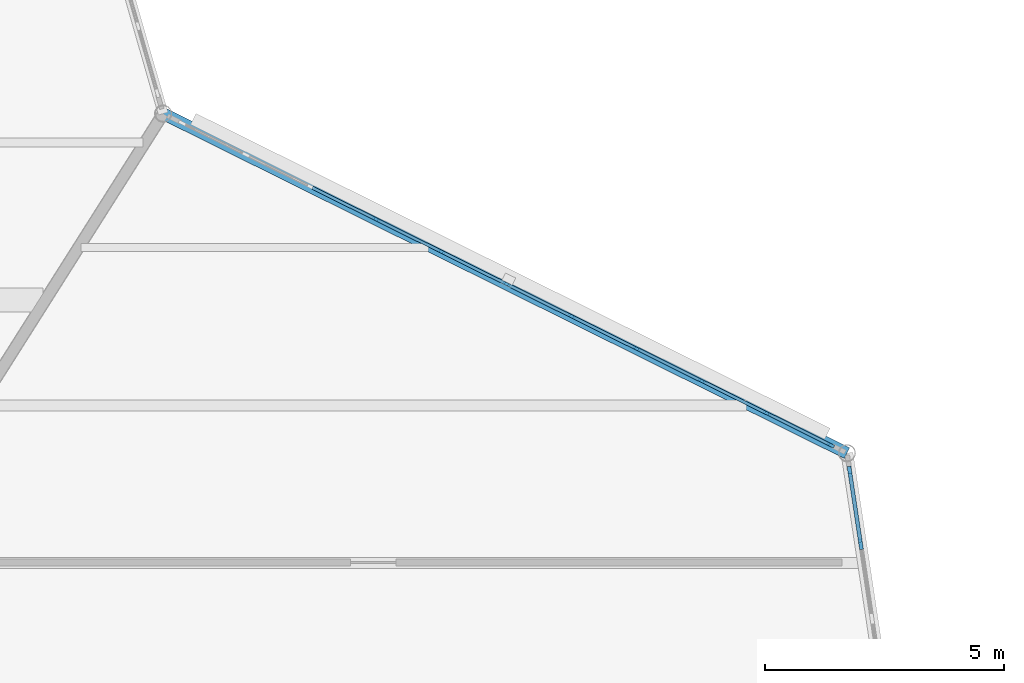
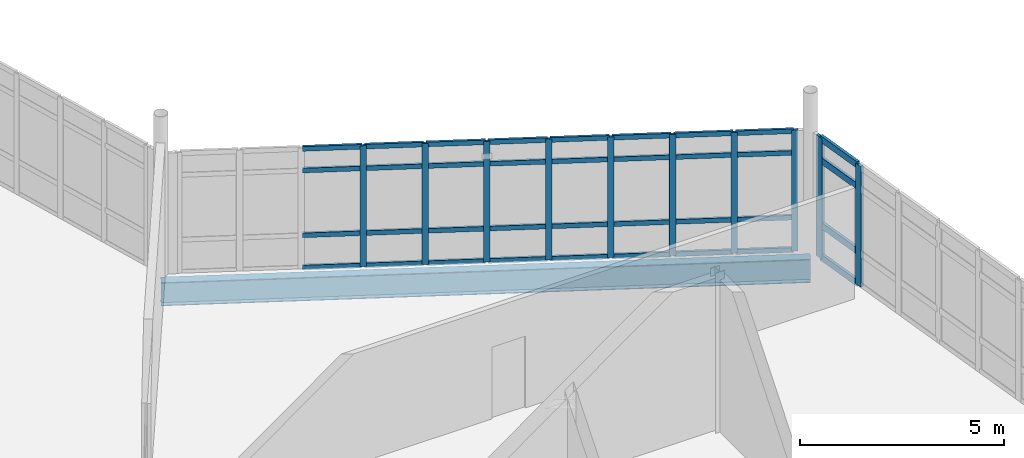
# One storey, part 49 of 114: 46 members, 1 beam, 2 elements without a shape of their own.
"""IFC4 building model written with IfcOpenShell, lengths in metres."""

from ifc_helpers import new_model, si_unit, direction, frame, origin, origin_2d, place, context, subcontext, project, spatial, rectangle, i_section, extrude, material, material_profile, profile_set, type_object, element, aggregate, save


model = new_model("IFC4")

# Units and contexts
model_context = context("Model", 3, precision=1e-05, world=origin(), true_north=direction((0.0, 1.0)))
body_context = subcontext(model_context, "Body", "Model", "MODEL_VIEW")
ifc_project = project(units=[si_unit("LENGTHUNIT", "METRE"), si_unit("AREAUNIT", "SQUARE_METRE"), si_unit("VOLUMEUNIT", "CUBIC_METRE"), si_unit("PLANEANGLEUNIT", "RADIAN"), si_unit("MASSUNIT", "GRAM", prefix="KILO")], contexts=[model_context])

# Site, building, storey
site_placement = place(None, origin())
site = spatial("IfcSite", under=ifc_project, at=site_placement, CompositionType="ELEMENT")
building_placement = place(site_placement, origin())
building = spatial("IfcBuilding", under=site, at=building_placement, Name="Tameran Prism Museum", CompositionType="ELEMENT")
storey_placement = place(building_placement, frame((0.0, 0.0, 10.199951171875)))
storey = spatial("IfcBuildingStorey", under=building, at=storey_placement, Name="L02", CompositionType="ELEMENT", Elevation=10.199951171875)

# Beam
ifc_material_1 = material(Name="Steel Grade 350 (350 MPa)", Category="steel")
ifc_material_profile_1 = material_profile(ifc_material_1, i_section(OverallWidth=0.25, OverallDepth=0.699951171875, WebThickness=0.010009765625, FlangeThickness=0.02001953125, at=origin_2d()))
ifc_profile_set_1 = profile_set([ifc_material_profile_1])
beam_type = type_object("IfcBeamType", Name="BM-SP700", PredefinedType="SPANDREL", material=ifc_profile_set_1)
beam_placement = place(storey_placement, frame((74.800048828125, 66.10009765625, -0.550048828125), z_axis=(-0.89568063561, 0.444697873835, 0.0), x_axis=(-0.444697873835, -0.89568063561, 0.0)))
element("IfcBeam", 1, at=beam_placement, inside=storey, type_object=beam_type, Name="Perimeter Spandrel SP-0692", PredefinedType="SPANDREL", context=body_context, shape_type="SweptSolid", body=[
    extrude(i_section(OverallWidth=0.25, OverallDepth=0.699951171875, WebThickness=0.010009765625, FlangeThickness=0.02001953125, at=origin_2d()), origin(), (0.0, 0.0, 1.0), 15.965576171875),
])

# Curtain wall, members
ifc_material_2 = material(Name="Anodised Aluminium 6063-T6 and Cyclone Solar Glass", Category="aluminium")
curtain_wall_type_1 = type_object("IfcCurtainWallType", Name="CW-FAC-1520x362", PredefinedType="USERDEFINED", material=ifc_material_2)
curtain_wall_1_placement = place(storey_placement, origin())
curtain_wall_1 = element("IfcCurtainWall", 2, at=curtain_wall_1_placement, inside=storey, type_object=curtain_wall_type_1, Name="Unitised Curtain Wall CW-115", ObjectType="UNITISED CURTAIN WALL", PredefinedType="USERDEFINED")
ifc_material_3 = material(Name="Anodised Aluminium Alloy 6063-T6", Category="aluminium")
ifc_material_profile_2 = material_profile(ifc_material_3, rectangle(XDim=0.06494140625, YDim=0.159912109375, at=origin_2d()))
ifc_profile_set_2 = profile_set([ifc_material_profile_2])
member_type_1 = type_object("IfcMemberType", Name="CW-MUL-A", PredefinedType="MULLION", material=ifc_profile_set_2)
member_1_placement = place(storey_placement, frame((64.952880859375, 70.98876953125, 0.0), z_axis=(0.0, 0.0, 1.0), x_axis=(0.444633769593, 0.895712459966, 0.0)))
member_1 = element("IfcMember", 3, at=member_1_placement, type_object=member_type_1, Name="CW-115 mullion 4", PredefinedType="MULLION", context=body_context, shape_type="SweptSolid", body=[
    extrude(rectangle(XDim=0.06494140625, YDim=0.159912109375, at=origin_2d()), origin(), (0.0, 0.0, 1.0), 3.6201171875),
])
member_2_placement = place(storey_placement, frame((66.31494140625, 70.3125, 0.0), z_axis=(0.0, 0.0, 1.0), x_axis=(0.444633769593, 0.895712459966, 0.0)))
member_2 = element("IfcMember", 4, at=member_2_placement, type_object=member_type_1, Name="CW-115 mullion 5", PredefinedType="MULLION", context=body_context, shape_type="SweptSolid", body=[
    extrude(rectangle(XDim=0.06494140625, YDim=0.159912109375, at=origin_2d()), origin(), (0.0, 0.0, 1.0), 3.6201171875),
])
member_3_placement = place(storey_placement, frame((67.677001953125, 69.636474609375, 0.0), z_axis=(0.0, 0.0, 1.0), x_axis=(0.444633769593, 0.895712459966, 0.0)))
member_3 = element("IfcMember", 5, at=member_3_placement, type_object=member_type_1, Name="CW-115 mullion 6", PredefinedType="MULLION", context=body_context, shape_type="SweptSolid", body=[
    extrude(rectangle(XDim=0.06494140625, YDim=0.159912109375, at=origin_2d()), origin(), (0.0, 0.0, 1.0), 3.6201171875),
])
member_4_placement = place(storey_placement, frame((69.0390625, 68.96044921875, 0.0), z_axis=(0.0, 0.0, 1.0), x_axis=(0.444633769593, 0.895712459966, 0.0)))
member_4 = element("IfcMember", 6, at=member_4_placement, type_object=member_type_1, Name="CW-115 mullion 7", PredefinedType="MULLION", context=body_context, shape_type="SweptSolid", body=[
    extrude(rectangle(XDim=0.06494140625, YDim=0.159912109375, at=origin_2d()), origin(), (0.0, 0.0, 1.0), 3.6201171875),
])
member_5_placement = place(storey_placement, frame((70.40087890625, 68.2841796875, 0.0), z_axis=(0.0, 0.0, 1.0), x_axis=(0.444633769593, 0.895712459966, 0.0)))
member_5 = element("IfcMember", 7, at=member_5_placement, type_object=member_type_1, Name="CW-115 mullion 8", PredefinedType="MULLION", context=body_context, shape_type="SweptSolid", body=[
    extrude(rectangle(XDim=0.06494140625, YDim=0.159912109375, at=origin_2d()), origin(), (0.0, 0.0, 1.0), 3.6201171875),
])
member_6_placement = place(storey_placement, frame((71.762939453125, 67.608154296875, 0.0), z_axis=(0.0, 0.0, 1.0), x_axis=(0.444633769593, 0.895712459966, 0.0)))
member_6 = element("IfcMember", 8, at=member_6_placement, type_object=member_type_1, Name="CW-115 mullion 9", PredefinedType="MULLION", context=body_context, shape_type="SweptSolid", body=[
    extrude(rectangle(XDim=0.06494140625, YDim=0.159912109375, at=origin_2d()), origin(), (0.0, 0.0, 1.0), 3.6201171875),
])
member_7_placement = place(storey_placement, frame((73.125, 66.93212890625, 0.0), z_axis=(0.0, 0.0, 1.0), x_axis=(0.444633769593, 0.895712459966, 0.0)))
member_7 = element("IfcMember", 9, at=member_7_placement, type_object=member_type_1, Name="CW-115 mullion 10", PredefinedType="MULLION", context=body_context, shape_type="SweptSolid", body=[
    extrude(rectangle(XDim=0.06494140625, YDim=0.159912109375, at=origin_2d()), origin(), (0.0, 0.0, 1.0), 3.6201171875),
])
member_8_placement = place(storey_placement, frame((74.4580078125, 66.2705078125, 0.0), z_axis=(0.0, 0.0, 1.0), x_axis=(0.444633769593, 0.895712459966, 0.0)))
member_8 = element("IfcMember", 10, at=member_8_placement, type_object=member_type_1, Name="CW-115 mullion 11", PredefinedType="MULLION", context=body_context, shape_type="SweptSolid", body=[
    extrude(rectangle(XDim=0.06494140625, YDim=0.159912109375, at=origin_2d()), origin(), (0.0, 0.0, 1.0), 3.6201171875),
])

ifc_material_4 = material(Name="Anodised Aluminium 6063-T6 and Cyclone Solar Glass", Category="aluminium")
curtain_wall_type_2 = type_object("IfcCurtainWallType", Name="CW-FAC-1734x362", PredefinedType="USERDEFINED", material=ifc_material_4)
curtain_wall_2_placement = place(storey_placement, origin())
curtain_wall_2 = element("IfcCurtainWall", 11, at=curtain_wall_2_placement, inside=storey, type_object=curtain_wall_type_2, Name="Unitised Curtain Wall CW-114", ObjectType="UNITISED CURTAIN WALL", PredefinedType="USERDEFINED")
ifc_material_5 = material(Name="Anodised Aluminium Alloy 6063-T6", Category="aluminium")
ifc_material_profile_3 = material_profile(ifc_material_5, rectangle(XDim=0.080078125, YDim=0.219970703125, at=origin_2d()))
ifc_profile_set_3 = profile_set([ifc_material_profile_3])
member_type_2 = type_object("IfcMemberType", Name="CW-MUL-D", PredefinedType="MULLION", material=ifc_profile_set_3)
member_9_placement = place(storey_placement, frame((74.85791015625, 65.71435546875, 0.0), z_axis=(0.0, 0.0, 1.0), x_axis=(0.988812088052, 0.149166532852, 0.0)))
member_9 = element("IfcMember", 12, at=member_9_placement, type_object=member_type_2, Name="CW-114 mullion 1", PredefinedType="MULLION", context=body_context, shape_type="SweptSolid", body=[
    extrude(rectangle(XDim=0.080078125, YDim=0.219970703125, at=origin_2d()), origin(), (0.0, 0.0, 1.0), 3.6201171875),
])
member_10_placement = place(storey_placement, frame((75.087158203125, 64.195068359375, 0.0), z_axis=(0.0, 0.0, 1.0), x_axis=(0.988812088052, 0.149166532852, 0.0)))
member_10 = element("IfcMember", 13, at=member_10_placement, type_object=member_type_2, Name="CW-114 mullion 2", PredefinedType="MULLION", context=body_context, shape_type="SweptSolid", body=[
    extrude(rectangle(XDim=0.080078125, YDim=0.219970703125, at=origin_2d()), origin(), (0.0, 0.0, 1.0), 3.6201171875),
])

# Member
ifc_material_6 = material(Name="Anodised Aluminium Alloy 6063-T6", Category="aluminium")
ifc_material_profile_4 = material_profile(ifc_material_6, rectangle(XDim=0.06494140625, YDim=0.139892578125, at=origin_2d()))
ifc_profile_set_4 = profile_set([ifc_material_profile_4])
member_type_3 = type_object("IfcMemberType", Name="CW-TRN-A", PredefinedType="USERDEFINED", material=ifc_profile_set_4)
member_11_placement = place(storey_placement, frame((63.6201171875, 71.650390625, 0.032470703125), z_axis=(0.895698333913, -0.444662225319, 0.0), x_axis=(0.444662225319, 0.895698333913, 0.0)))
member_11 = element("IfcMember", 14, at=member_11_placement, type_object=member_type_3, Name="CW-115 transom 3.1", ObjectType="TRANSOM", PredefinedType="USERDEFINED", context=body_context, shape_type="SweptSolid", body=[
    extrude(rectangle(XDim=0.06494140625, YDim=0.139892578125, at=origin_2d()), origin(), (0.0, 0.0, 1.0), 1.45556640625),
])

member_12_placement = place(storey_placement, frame((63.6201171875, 71.650390625, 1.0), z_axis=(0.895698333913, -0.444662225319, 0.0), x_axis=(0.444662225319, 0.895698333913, 0.0)))
member_12 = element("IfcMember", 15, at=member_12_placement, type_object=member_type_3, Name="CW-115 transom 3.2", ObjectType="TRANSOM", PredefinedType="USERDEFINED", context=body_context, shape_type="SweptSolid", body=[
    extrude(rectangle(XDim=0.06494140625, YDim=0.139892578125, at=origin_2d()), origin(), (0.0, 0.0, 1.0), 1.45556640625),
])

member_13_placement = place(storey_placement, frame((63.6201171875, 71.650390625, 2.93994140625), z_axis=(0.895698333913, -0.444662225319, 0.0), x_axis=(0.444662225319, 0.895698333913, 0.0)))
member_13 = element("IfcMember", 16, at=member_13_placement, type_object=member_type_3, Name="CW-115 transom 3.3", ObjectType="TRANSOM", PredefinedType="USERDEFINED", context=body_context, shape_type="SweptSolid", body=[
    extrude(rectangle(XDim=0.06494140625, YDim=0.139892578125, at=origin_2d()), origin(), (0.0, 0.0, 1.0), 1.45556640625),
])

member_14_placement = place(storey_placement, frame((63.6201171875, 71.650390625, 3.587646484375), z_axis=(0.895698333913, -0.444662225319, 0.0), x_axis=(0.444662225319, 0.895698333913, 0.0)))
member_14 = element("IfcMember", 17, at=member_14_placement, type_object=member_type_3, Name="CW-115 transom 3.4", ObjectType="TRANSOM", PredefinedType="USERDEFINED", context=body_context, shape_type="SweptSolid", body=[
    extrude(rectangle(XDim=0.06494140625, YDim=0.139892578125, at=origin_2d()), origin(), (0.0, 0.0, 1.0), 1.45556640625),
])

member_15_placement = place(storey_placement, frame((64.982177734375, 70.974365234375, 0.032470703125), z_axis=(0.895698333913, -0.444662225319, 0.0), x_axis=(0.444662225319, 0.895698333913, 0.0)))
member_15 = element("IfcMember", 18, at=member_15_placement, type_object=member_type_3, Name="CW-115 transom 4.1", ObjectType="TRANSOM", PredefinedType="USERDEFINED", context=body_context, shape_type="SweptSolid", body=[
    extrude(rectangle(XDim=0.06494140625, YDim=0.139892578125, at=origin_2d()), origin(), (0.0, 0.0, 1.0), 1.45556640625),
])

member_16_placement = place(storey_placement, frame((64.982177734375, 70.974365234375, 1.0), z_axis=(0.895698333913, -0.444662225319, 0.0), x_axis=(0.444662225319, 0.895698333913, 0.0)))
member_16 = element("IfcMember", 19, at=member_16_placement, type_object=member_type_3, Name="CW-115 transom 4.2", ObjectType="TRANSOM", PredefinedType="USERDEFINED", context=body_context, shape_type="SweptSolid", body=[
    extrude(rectangle(XDim=0.06494140625, YDim=0.139892578125, at=origin_2d()), origin(), (0.0, 0.0, 1.0), 1.45556640625),
])

member_17_placement = place(storey_placement, frame((64.982177734375, 70.974365234375, 2.93994140625), z_axis=(0.895698333913, -0.444662225319, 0.0), x_axis=(0.444662225319, 0.895698333913, 0.0)))
member_17 = element("IfcMember", 20, at=member_17_placement, type_object=member_type_3, Name="CW-115 transom 4.3", ObjectType="TRANSOM", PredefinedType="USERDEFINED", context=body_context, shape_type="SweptSolid", body=[
    extrude(rectangle(XDim=0.06494140625, YDim=0.139892578125, at=origin_2d()), origin(), (0.0, 0.0, 1.0), 1.45556640625),
])

member_18_placement = place(storey_placement, frame((64.982177734375, 70.974365234375, 3.587646484375), z_axis=(0.895698333913, -0.444662225319, 0.0), x_axis=(0.444662225319, 0.895698333913, 0.0)))
member_18 = element("IfcMember", 21, at=member_18_placement, type_object=member_type_3, Name="CW-115 transom 4.4", ObjectType="TRANSOM", PredefinedType="USERDEFINED", context=body_context, shape_type="SweptSolid", body=[
    extrude(rectangle(XDim=0.06494140625, YDim=0.139892578125, at=origin_2d()), origin(), (0.0, 0.0, 1.0), 1.45556640625),
])

member_19_placement = place(storey_placement, frame((66.343994140625, 70.298095703125, 0.032470703125), z_axis=(0.895731491515, -0.444595428573, 0.0), x_axis=(0.444595428573, 0.895731491515, 0.0)))
member_19 = element("IfcMember", 22, at=member_19_placement, type_object=member_type_3, Name="CW-115 transom 5.1", ObjectType="TRANSOM", PredefinedType="USERDEFINED", context=body_context, shape_type="SweptSolid", body=[
    extrude(rectangle(XDim=0.06494140625, YDim=0.139892578125, at=origin_2d()), origin(), (0.0, 0.0, 1.0), 1.455810546875),
])

member_20_placement = place(storey_placement, frame((66.343994140625, 70.298095703125, 1.0), z_axis=(0.895731491515, -0.444595428573, 0.0), x_axis=(0.444595428573, 0.895731491515, 0.0)))
member_20 = element("IfcMember", 23, at=member_20_placement, type_object=member_type_3, Name="CW-115 transom 5.2", ObjectType="TRANSOM", PredefinedType="USERDEFINED", context=body_context, shape_type="SweptSolid", body=[
    extrude(rectangle(XDim=0.06494140625, YDim=0.139892578125, at=origin_2d()), origin(), (0.0, 0.0, 1.0), 1.455810546875),
])

member_21_placement = place(storey_placement, frame((66.343994140625, 70.298095703125, 2.93994140625), z_axis=(0.895731491515, -0.444595428573, 0.0), x_axis=(0.444595428573, 0.895731491515, 0.0)))
member_21 = element("IfcMember", 24, at=member_21_placement, type_object=member_type_3, Name="CW-115 transom 5.3", ObjectType="TRANSOM", PredefinedType="USERDEFINED", context=body_context, shape_type="SweptSolid", body=[
    extrude(rectangle(XDim=0.06494140625, YDim=0.139892578125, at=origin_2d()), origin(), (0.0, 0.0, 1.0), 1.455810546875),
])

member_22_placement = place(storey_placement, frame((66.343994140625, 70.298095703125, 3.587646484375), z_axis=(0.895731491515, -0.444595428573, 0.0), x_axis=(0.444595428573, 0.895731491515, 0.0)))
member_22 = element("IfcMember", 25, at=member_22_placement, type_object=member_type_3, Name="CW-115 transom 5.4", ObjectType="TRANSOM", PredefinedType="USERDEFINED", context=body_context, shape_type="SweptSolid", body=[
    extrude(rectangle(XDim=0.06494140625, YDim=0.139892578125, at=origin_2d()), origin(), (0.0, 0.0, 1.0), 1.455810546875),
])

member_23_placement = place(storey_placement, frame((67.7060546875, 69.6220703125, 0.032470703125), z_axis=(0.895731491515, -0.444595428573, 0.0), x_axis=(0.444595428573, 0.895731491515, 0.0)))
member_23 = element("IfcMember", 26, at=member_23_placement, type_object=member_type_3, Name="CW-115 transom 6.1", ObjectType="TRANSOM", PredefinedType="USERDEFINED", context=body_context, shape_type="SweptSolid", body=[
    extrude(rectangle(XDim=0.06494140625, YDim=0.139892578125, at=origin_2d()), origin(), (0.0, 0.0, 1.0), 1.455810546875),
])

member_24_placement = place(storey_placement, frame((67.7060546875, 69.6220703125, 1.0), z_axis=(0.895731491515, -0.444595428573, 0.0), x_axis=(0.444595428573, 0.895731491515, 0.0)))
member_24 = element("IfcMember", 27, at=member_24_placement, type_object=member_type_3, Name="CW-115 transom 6.2", ObjectType="TRANSOM", PredefinedType="USERDEFINED", context=body_context, shape_type="SweptSolid", body=[
    extrude(rectangle(XDim=0.06494140625, YDim=0.139892578125, at=origin_2d()), origin(), (0.0, 0.0, 1.0), 1.455810546875),
])

member_25_placement = place(storey_placement, frame((67.7060546875, 69.6220703125, 2.93994140625), z_axis=(0.895731491515, -0.444595428573, 0.0), x_axis=(0.444595428573, 0.895731491515, 0.0)))
member_25 = element("IfcMember", 28, at=member_25_placement, type_object=member_type_3, Name="CW-115 transom 6.3", ObjectType="TRANSOM", PredefinedType="USERDEFINED", context=body_context, shape_type="SweptSolid", body=[
    extrude(rectangle(XDim=0.06494140625, YDim=0.139892578125, at=origin_2d()), origin(), (0.0, 0.0, 1.0), 1.455810546875),
])

member_26_placement = place(storey_placement, frame((67.7060546875, 69.6220703125, 3.587646484375), z_axis=(0.895731491515, -0.444595428573, 0.0), x_axis=(0.444595428573, 0.895731491515, 0.0)))
member_26 = element("IfcMember", 29, at=member_26_placement, type_object=member_type_3, Name="CW-115 transom 6.4", ObjectType="TRANSOM", PredefinedType="USERDEFINED", context=body_context, shape_type="SweptSolid", body=[
    extrude(rectangle(XDim=0.06494140625, YDim=0.139892578125, at=origin_2d()), origin(), (0.0, 0.0, 1.0), 1.455810546875),
])

member_27_placement = place(storey_placement, frame((69.068115234375, 68.946044921875, 0.032470703125), z_axis=(0.895698333913, -0.444662225319, 0.0), x_axis=(0.444662225319, 0.895698333913, 0.0)))
member_27 = element("IfcMember", 30, at=member_27_placement, type_object=member_type_3, Name="CW-115 transom 7.1", ObjectType="TRANSOM", PredefinedType="USERDEFINED", context=body_context, shape_type="SweptSolid", body=[
    extrude(rectangle(XDim=0.06494140625, YDim=0.139892578125, at=origin_2d()), origin(), (0.0, 0.0, 1.0), 1.45556640625),
])

member_28_placement = place(storey_placement, frame((69.068115234375, 68.946044921875, 1.0), z_axis=(0.895698333913, -0.444662225319, 0.0), x_axis=(0.444662225319, 0.895698333913, 0.0)))
member_28 = element("IfcMember", 31, at=member_28_placement, type_object=member_type_3, Name="CW-115 transom 7.2", ObjectType="TRANSOM", PredefinedType="USERDEFINED", context=body_context, shape_type="SweptSolid", body=[
    extrude(rectangle(XDim=0.06494140625, YDim=0.139892578125, at=origin_2d()), origin(), (0.0, 0.0, 1.0), 1.45556640625),
])

member_29_placement = place(storey_placement, frame((69.068115234375, 68.946044921875, 2.93994140625), z_axis=(0.895698333913, -0.444662225319, 0.0), x_axis=(0.444662225319, 0.895698333913, 0.0)))
member_29 = element("IfcMember", 32, at=member_29_placement, type_object=member_type_3, Name="CW-115 transom 7.3", ObjectType="TRANSOM", PredefinedType="USERDEFINED", context=body_context, shape_type="SweptSolid", body=[
    extrude(rectangle(XDim=0.06494140625, YDim=0.139892578125, at=origin_2d()), origin(), (0.0, 0.0, 1.0), 1.45556640625),
])

member_30_placement = place(storey_placement, frame((69.068115234375, 68.946044921875, 3.587646484375), z_axis=(0.895698333913, -0.444662225319, 0.0), x_axis=(0.444662225319, 0.895698333913, 0.0)))
member_30 = element("IfcMember", 33, at=member_30_placement, type_object=member_type_3, Name="CW-115 transom 7.4", ObjectType="TRANSOM", PredefinedType="USERDEFINED", context=body_context, shape_type="SweptSolid", body=[
    extrude(rectangle(XDim=0.06494140625, YDim=0.139892578125, at=origin_2d()), origin(), (0.0, 0.0, 1.0), 1.45556640625),
])

member_31_placement = place(storey_placement, frame((70.43017578125, 68.269775390625, 0.032470703125), z_axis=(0.895698333913, -0.444662225319, 0.0), x_axis=(0.444662225319, 0.895698333913, 0.0)))
member_31 = element("IfcMember", 34, at=member_31_placement, type_object=member_type_3, Name="CW-115 transom 8.1", ObjectType="TRANSOM", PredefinedType="USERDEFINED", context=body_context, shape_type="SweptSolid", body=[
    extrude(rectangle(XDim=0.06494140625, YDim=0.139892578125, at=origin_2d()), origin(), (0.0, 0.0, 1.0), 1.45556640625),
])

member_32_placement = place(storey_placement, frame((70.43017578125, 68.269775390625, 1.0), z_axis=(0.895698333913, -0.444662225319, 0.0), x_axis=(0.444662225319, 0.895698333913, 0.0)))
member_32 = element("IfcMember", 35, at=member_32_placement, type_object=member_type_3, Name="CW-115 transom 8.2", ObjectType="TRANSOM", PredefinedType="USERDEFINED", context=body_context, shape_type="SweptSolid", body=[
    extrude(rectangle(XDim=0.06494140625, YDim=0.139892578125, at=origin_2d()), origin(), (0.0, 0.0, 1.0), 1.45556640625),
])

member_33_placement = place(storey_placement, frame((70.43017578125, 68.269775390625, 2.93994140625), z_axis=(0.895698333913, -0.444662225319, 0.0), x_axis=(0.444662225319, 0.895698333913, 0.0)))
member_33 = element("IfcMember", 36, at=member_33_placement, type_object=member_type_3, Name="CW-115 transom 8.3", ObjectType="TRANSOM", PredefinedType="USERDEFINED", context=body_context, shape_type="SweptSolid", body=[
    extrude(rectangle(XDim=0.06494140625, YDim=0.139892578125, at=origin_2d()), origin(), (0.0, 0.0, 1.0), 1.45556640625),
])

member_34_placement = place(storey_placement, frame((70.43017578125, 68.269775390625, 3.587646484375), z_axis=(0.895698333913, -0.444662225319, 0.0), x_axis=(0.444662225319, 0.895698333913, 0.0)))
member_34 = element("IfcMember", 37, at=member_34_placement, type_object=member_type_3, Name="CW-115 transom 8.4", ObjectType="TRANSOM", PredefinedType="USERDEFINED", context=body_context, shape_type="SweptSolid", body=[
    extrude(rectangle(XDim=0.06494140625, YDim=0.139892578125, at=origin_2d()), origin(), (0.0, 0.0, 1.0), 1.45556640625),
])

member_35_placement = place(storey_placement, frame((71.7919921875, 67.59375, 0.032470703125), z_axis=(0.895731491515, -0.444595428573, 0.0), x_axis=(0.444595428573, 0.895731491515, 0.0)))
member_35 = element("IfcMember", 38, at=member_35_placement, type_object=member_type_3, Name="CW-115 transom 9.1", ObjectType="TRANSOM", PredefinedType="USERDEFINED", context=body_context, shape_type="SweptSolid", body=[
    extrude(rectangle(XDim=0.06494140625, YDim=0.139892578125, at=origin_2d()), origin(), (0.0, 0.0, 1.0), 1.455810546875),
])

member_36_placement = place(storey_placement, frame((71.7919921875, 67.59375, 1.0), z_axis=(0.895731491515, -0.444595428573, 0.0), x_axis=(0.444595428573, 0.895731491515, 0.0)))
member_36 = element("IfcMember", 39, at=member_36_placement, type_object=member_type_3, Name="CW-115 transom 9.2", ObjectType="TRANSOM", PredefinedType="USERDEFINED", context=body_context, shape_type="SweptSolid", body=[
    extrude(rectangle(XDim=0.06494140625, YDim=0.139892578125, at=origin_2d()), origin(), (0.0, 0.0, 1.0), 1.455810546875),
])

member_37_placement = place(storey_placement, frame((71.7919921875, 67.59375, 2.93994140625), z_axis=(0.895731491515, -0.444595428573, 0.0), x_axis=(0.444595428573, 0.895731491515, 0.0)))
member_37 = element("IfcMember", 40, at=member_37_placement, type_object=member_type_3, Name="CW-115 transom 9.3", ObjectType="TRANSOM", PredefinedType="USERDEFINED", context=body_context, shape_type="SweptSolid", body=[
    extrude(rectangle(XDim=0.06494140625, YDim=0.139892578125, at=origin_2d()), origin(), (0.0, 0.0, 1.0), 1.455810546875),
])

member_38_placement = place(storey_placement, frame((71.7919921875, 67.59375, 3.587646484375), z_axis=(0.895731491515, -0.444595428573, 0.0), x_axis=(0.444595428573, 0.895731491515, 0.0)))
member_38 = element("IfcMember", 41, at=member_38_placement, type_object=member_type_3, Name="CW-115 transom 9.4", ObjectType="TRANSOM", PredefinedType="USERDEFINED", context=body_context, shape_type="SweptSolid", body=[
    extrude(rectangle(XDim=0.06494140625, YDim=0.139892578125, at=origin_2d()), origin(), (0.0, 0.0, 1.0), 1.455810546875),
])

member_39_placement = place(storey_placement, frame((73.154052734375, 66.917724609375, 0.032470703125), z_axis=(0.895693100503, -0.444672766999, 0.0), x_axis=(0.444672766999, 0.895693100503, 0.0)))
member_39 = element("IfcMember", 42, at=member_39_placement, type_object=member_type_3, Name="CW-115 transom 10.1", ObjectType="TRANSOM", PredefinedType="USERDEFINED", context=body_context, shape_type="SweptSolid", body=[
    extrude(rectangle(XDim=0.06494140625, YDim=0.139892578125, at=origin_2d()), origin(), (0.0, 0.0, 1.0), 1.423095703125),
])

member_40_placement = place(storey_placement, frame((73.154052734375, 66.917724609375, 1.0), z_axis=(0.895693100503, -0.444672766999, 0.0), x_axis=(0.444672766999, 0.895693100503, 0.0)))
member_40 = element("IfcMember", 43, at=member_40_placement, type_object=member_type_3, Name="CW-115 transom 10.2", ObjectType="TRANSOM", PredefinedType="USERDEFINED", context=body_context, shape_type="SweptSolid", body=[
    extrude(rectangle(XDim=0.06494140625, YDim=0.139892578125, at=origin_2d()), origin(), (0.0, 0.0, 1.0), 1.423095703125),
])

member_41_placement = place(storey_placement, frame((73.154052734375, 66.917724609375, 2.93994140625), z_axis=(0.895693100503, -0.444672766999, 0.0), x_axis=(0.444672766999, 0.895693100503, 0.0)))
member_41 = element("IfcMember", 44, at=member_41_placement, type_object=member_type_3, Name="CW-115 transom 10.3", ObjectType="TRANSOM", PredefinedType="USERDEFINED", context=body_context, shape_type="SweptSolid", body=[
    extrude(rectangle(XDim=0.06494140625, YDim=0.139892578125, at=origin_2d()), origin(), (0.0, 0.0, 1.0), 1.423095703125),
])

member_42_placement = place(storey_placement, frame((73.154052734375, 66.917724609375, 3.587646484375), z_axis=(0.895693100503, -0.444672766999, 0.0), x_axis=(0.444672766999, 0.895693100503, 0.0)))
member_42 = element("IfcMember", 45, at=member_42_placement, type_object=member_type_3, Name="CW-115 transom 10.4", ObjectType="TRANSOM", PredefinedType="USERDEFINED", context=body_context, shape_type="SweptSolid", body=[
    extrude(rectangle(XDim=0.06494140625, YDim=0.139892578125, at=origin_2d()), origin(), (0.0, 0.0, 1.0), 1.423095703125),
])

aggregate(curtain_wall_1, [member_1, member_2, member_3, member_4, member_5, member_6, member_7, member_8, member_11, member_12, member_13, member_14, member_15, member_16, member_17, member_18, member_19, member_20, member_21, member_22, member_23, member_24, member_25, member_26, member_27, member_28, member_29, member_30, member_31, member_32, member_33, member_34, member_35, member_36, member_37, member_38, member_39, member_40, member_41, member_42])

ifc_material_7 = material(Name="Anodised Aluminium Alloy 6063-T6", Category="aluminium")
ifc_material_profile_5 = material_profile(ifc_material_7, rectangle(XDim=0.080078125, YDim=0.195068359375, at=origin_2d()))
ifc_profile_set_5 = profile_set([ifc_material_profile_5])
member_type_4 = type_object("IfcMemberType", Name="CW-TRN-D", PredefinedType="USERDEFINED", material=ifc_profile_set_5)
member_43_placement = place(storey_placement, frame((74.864013671875, 65.6748046875, 0.0400390625), z_axis=(0.149184662506, -0.988809352946, 0.0), x_axis=(0.988809352946, 0.149184662506, 0.0)))
member_43 = element("IfcMember", 46, at=member_43_placement, type_object=member_type_4, Name="CW-114 transom 1.1", ObjectType="TRANSOM", PredefinedType="USERDEFINED", context=body_context, shape_type="SweptSolid", body=[
    extrude(rectangle(XDim=0.080078125, YDim=0.195068359375, at=origin_2d()), origin(), (0.0, 0.0, 1.0), 1.45654296875),
])

member_44_placement = place(storey_placement, frame((74.864013671875, 65.6748046875, 1.0), z_axis=(0.149184662506, -0.988809352946, 0.0), x_axis=(0.988809352946, 0.149184662506, 0.0)))
member_44 = element("IfcMember", 47, at=member_44_placement, type_object=member_type_4, Name="CW-114 transom 1.2", ObjectType="TRANSOM", PredefinedType="USERDEFINED", context=body_context, shape_type="SweptSolid", body=[
    extrude(rectangle(XDim=0.080078125, YDim=0.195068359375, at=origin_2d()), origin(), (0.0, 0.0, 1.0), 1.45654296875),
])

member_45_placement = place(storey_placement, frame((74.864013671875, 65.6748046875, 2.93994140625), z_axis=(0.149184662506, -0.988809352946, 0.0), x_axis=(0.988809352946, 0.149184662506, 0.0)))
member_45 = element("IfcMember", 48, at=member_45_placement, type_object=member_type_4, Name="CW-114 transom 1.3", ObjectType="TRANSOM", PredefinedType="USERDEFINED", context=body_context, shape_type="SweptSolid", body=[
    extrude(rectangle(XDim=0.080078125, YDim=0.195068359375, at=origin_2d()), origin(), (0.0, 0.0, 1.0), 1.45654296875),
])

member_46_placement = place(storey_placement, frame((74.864013671875, 65.6748046875, 3.580078125), z_axis=(0.149184662506, -0.988809352946, 0.0), x_axis=(0.988809352946, 0.149184662506, 0.0)))
member_46 = element("IfcMember", 49, at=member_46_placement, type_object=member_type_4, Name="CW-114 transom 1.4", ObjectType="TRANSOM", PredefinedType="USERDEFINED", context=body_context, shape_type="SweptSolid", body=[
    extrude(rectangle(XDim=0.080078125, YDim=0.195068359375, at=origin_2d()), origin(), (0.0, 0.0, 1.0), 1.45654296875),
])

aggregate(curtain_wall_2, [member_9, member_10, member_43, member_44, member_45, member_46])

save(model, "model.ifc")
